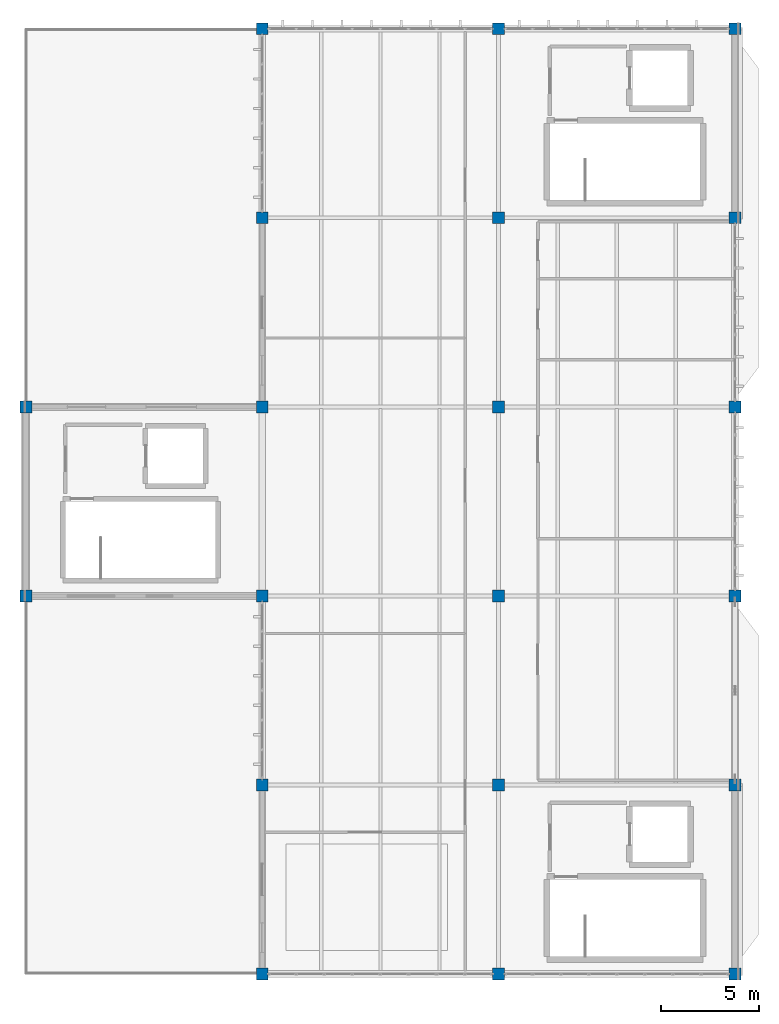
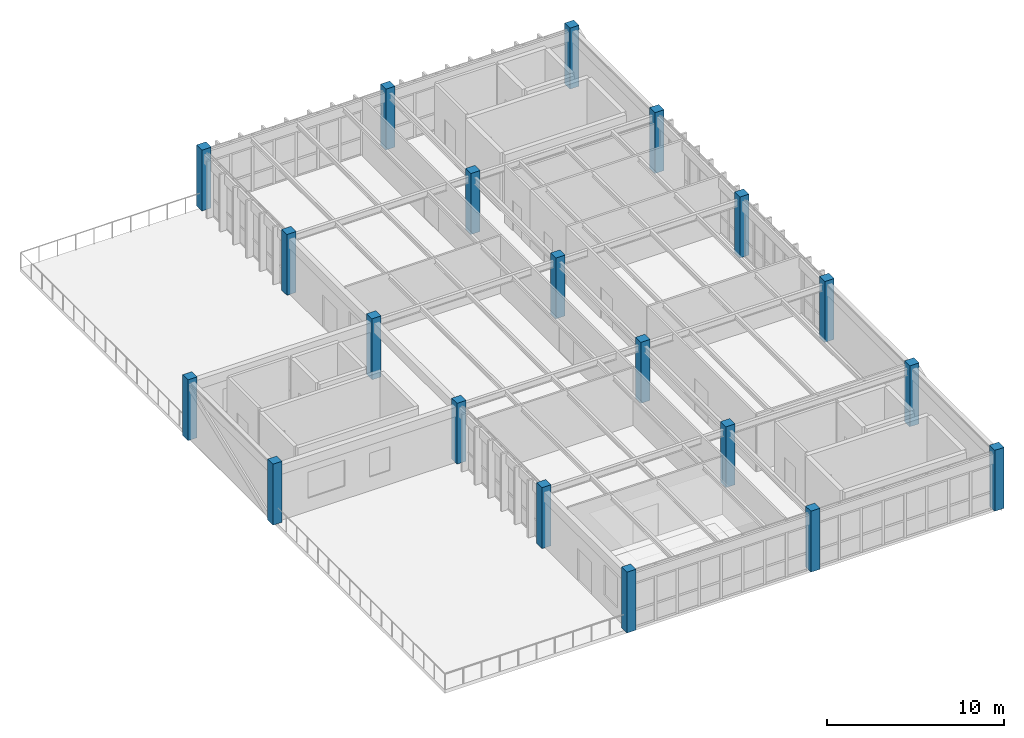
# One storey, part 1 of 28: 20 columns.
"""IFC4 building model written with IfcOpenShell, lengths in metres."""

from ifc_helpers import new_model, si_unit, direction, frame, origin, origin_2d, place, context, subcontext, project, spatial, rectangle, extrude, material, material_profile, profile_set, type_object, element, save


model = new_model("IFC4")

# Units and contexts
model_context = context("Model", 3, precision=1e-05, world=origin(), true_north=direction((0.0, 1.0)))
body_context = subcontext(model_context, "Body", "Model", "MODEL_VIEW")
ifc_project = project(units=[si_unit("LENGTHUNIT", "METRE"), si_unit("AREAUNIT", "SQUARE_METRE"), si_unit("VOLUMEUNIT", "CUBIC_METRE"), si_unit("PLANEANGLEUNIT", "RADIAN"), si_unit("MASSUNIT", "GRAM", prefix="KILO")], contexts=[model_context])

# Site, building, storey
site_placement = place(None, origin())
site = spatial("IfcSite", under=ifc_project, at=site_placement, CompositionType="ELEMENT")
building_placement = place(site_placement, origin())
building = spatial("IfcBuilding", under=site, at=building_placement, Name="Pandanus Reach Market Hall", CompositionType="ELEMENT")
storey_placement = place(building_placement, frame((0.0, 0.0, 18.60009765625)))
storey = spatial("IfcBuildingStorey", under=building, at=storey_placement, Name="L04", CompositionType="ELEMENT", Elevation=18.60009765625)

# Columns
ifc_material = material(Name="Concrete N40 (40 MPa)", Category="concrete")
ifc_material_profile_1 = material_profile(ifc_material, rectangle(XDim=0.60009765625, YDim=0.60009765625, at=origin_2d()), Name="RC600x600", Category="LoadBearing")
ifc_profile_set_1 = profile_set([ifc_material_profile_1], Name="Concrete N40 (40 MPa)")
column_type_1 = type_object("IfcColumnType", Name="CL-RC600-E", PredefinedType="COLUMN", material=ifc_profile_set_1)
for number, where, z_axis, x_axis, name in (
    (1, (144.0, 48.0, 0.0), (0.0, 0.0, 1.0), (1.0, 0.0, 0.0), "Column CL-RC600-E V4-144-480 L04"),
    (2, (144.0, 57.60009765625, 0.0), (0.0, 0.0, 1.0), (1.0, 0.0, 0.0), "Column CL-RC600-E V4-144-576 L04"),
    (3, (180.0, 28.800048828125, 0.0), (0.0, 0.0, 1.0), (1.0, 0.0, 0.0), "Column CL-RC600-E V4-180-288 L04"),
    (4, (180.0, 38.39990234375, 0.0), (0.0, 0.0, 1.0), (1.0, 0.0, 0.0), "Column CL-RC600-E V4-180-384 L04"),
    (5, (180.0, 48.0, 0.0), (0.0, 0.0, 1.0), (1.0, 0.0, 0.0), "Column CL-RC600-E V4-180-480 L04"),
    (6, (180.0, 57.60009765625, 0.0), (0.0, 0.0, 1.0), (1.0, 0.0, 0.0), "Column CL-RC600-E V4-180-576 L04"),
    (7, (180.0, 67.199951171875, 0.0), (0.0, 0.0, 1.0), (1.0, 0.0, 0.0), "Column CL-RC600-E V4-180-672 L04"),
    (8, (180.0, 76.800048828125, 0.0), (0.0, 0.0, 1.0), (1.0, 0.0, 0.0), "Column CL-RC600-E V4-180-768 L04"),
):
    element("IfcColumn", number, at=place(storey_placement, frame(where, z_axis=z_axis, x_axis=x_axis)), inside=storey, type_object=column_type_1, Name=name, PredefinedType="COLUMN", context=body_context, shape_type="SweptSolid", body=[
        extrude(rectangle(XDim=0.60009765625, YDim=0.60009765625, at=origin_2d()), origin(), (0.0, 0.0, 1.0), 4.199951171875),
    ])
ifc_material_profile_2 = material_profile(ifc_material, rectangle(XDim=0.60009765625, YDim=0.60009765625, at=origin_2d()), Name="RC600x600", Category="LoadBearing")
ifc_profile_set_2 = profile_set([ifc_material_profile_2], Name="Concrete N40 (40 MPa)")
column_type_2 = type_object("IfcColumnType", Name="CL-RC600-I", PredefinedType="COLUMN", material=ifc_profile_set_2)
for number, where, z_axis, x_axis, name in (
    (9, (156.0, 28.800048828125, 0.0), (0.0, 0.0, 1.0), (1.0, 0.0, 0.0), "Column CL-RC600-I V4-156-288 L04"),
    (10, (156.0, 38.39990234375, 0.0), (0.0, 0.0, 1.0), (1.0, 0.0, 0.0), "Column CL-RC600-I V4-156-384 L04"),
    (11, (156.0, 48.0, 0.0), (0.0, 0.0, 1.0), (1.0, 0.0, 0.0), "Column CL-RC600-I V4-156-480 L04"),
    (12, (156.0, 57.60009765625, 0.0), (0.0, 0.0, 1.0), (1.0, 0.0, 0.0), "Column CL-RC600-I V4-156-576 L04"),
    (13, (156.0, 67.199951171875, 0.0), (0.0, 0.0, 1.0), (1.0, 0.0, 0.0), "Column CL-RC600-I V4-156-672 L04"),
    (14, (156.0, 76.800048828125, 0.0), (0.0, 0.0, 1.0), (1.0, 0.0, 0.0), "Column CL-RC600-I V4-156-768 L04"),
    (15, (168.0, 28.800048828125, 0.0), (0.0, 0.0, 1.0), (1.0, 0.0, 0.0), "Column CL-RC600-I V4-168-288 L04"),
    (16, (168.0, 38.39990234375, 0.0), (0.0, 0.0, 1.0), (1.0, 0.0, 0.0), "Column CL-RC600-I V4-168-384 L04"),
    (17, (168.0, 48.0, 0.0), (0.0, 0.0, 1.0), (1.0, 0.0, 0.0), "Column CL-RC600-I V4-168-480 L04"),
    (18, (168.0, 57.60009765625, 0.0), (0.0, 0.0, 1.0), (1.0, 0.0, 0.0), "Column CL-RC600-I V4-168-576 L04"),
    (19, (168.0, 67.199951171875, 0.0), (0.0, 0.0, 1.0), (1.0, 0.0, 0.0), "Column CL-RC600-I V4-168-672 L04"),
    (20, (168.0, 76.800048828125, 0.0), (0.0, 0.0, 1.0), (1.0, 0.0, 0.0), "Column CL-RC600-I V4-168-768 L04"),
):
    element("IfcColumn", number, at=place(storey_placement, frame(where, z_axis=z_axis, x_axis=x_axis)), inside=storey, type_object=column_type_2, Name=name, PredefinedType="COLUMN", context=body_context, shape_type="SweptSolid", body=[
        extrude(rectangle(XDim=0.60009765625, YDim=0.60009765625, at=origin_2d()), origin(), (0.0, 0.0, 1.0), 4.199951171875),
    ])

save(model, "model.ifc")
